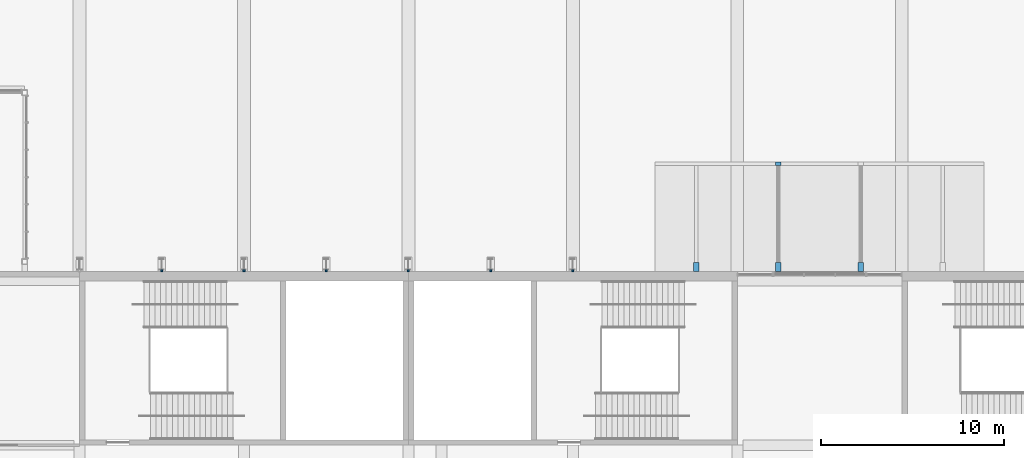
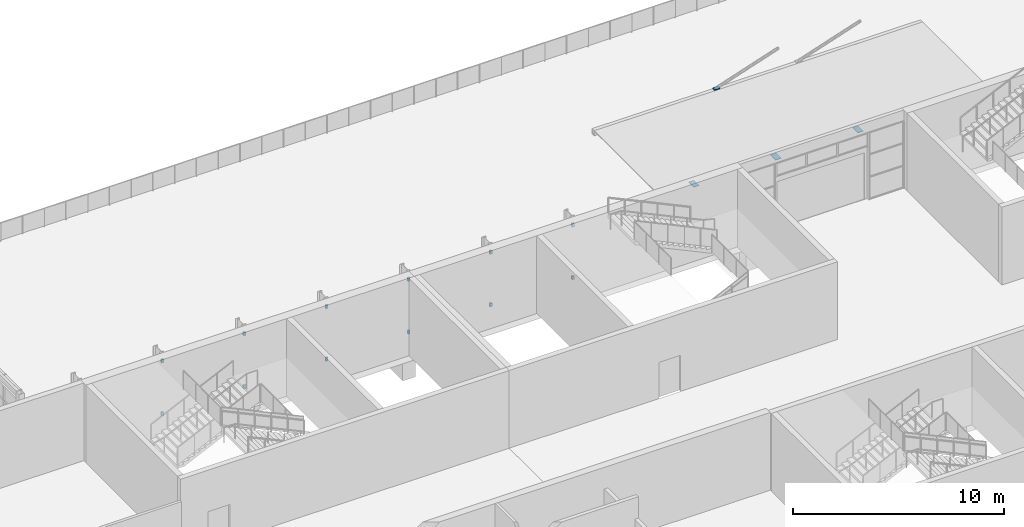
# One storey, part 134 of 168: 16 discrete accessories.
"""IFC4 building model written with IfcOpenShell, lengths in metres."""

from ifc_helpers import new_model, si_unit, direction, frame, origin, origin_2d, place, context, subcontext, project, spatial, rectangle, extrude, material, type_object, element, save


model = new_model("IFC4")

# Units and contexts
model_context = context("Model", 3, precision=1e-05, world=origin(), true_north=direction((0.0, 1.0)))
body_context = subcontext(model_context, "Body", "Model", "MODEL_VIEW")
ifc_project = project(units=[si_unit("LENGTHUNIT", "METRE"), si_unit("AREAUNIT", "SQUARE_METRE"), si_unit("VOLUMEUNIT", "CUBIC_METRE"), si_unit("PLANEANGLEUNIT", "RADIAN"), si_unit("MASSUNIT", "GRAM", prefix="KILO")], contexts=[model_context])

# Site, building, storey
site_placement = place(None, origin())
site = spatial("IfcSite", under=ifc_project, at=site_placement, CompositionType="ELEMENT")
building_placement = place(site_placement, origin())
building = spatial("IfcBuilding", under=site, at=building_placement, Name="Silverbay Arena", CompositionType="ELEMENT")
storey_placement = place(building_placement, frame((0.0, 0.0, 7.0)))
storey = spatial("IfcBuildingStorey", under=building, at=storey_placement, Name="L01", CompositionType="ELEMENT", Elevation=7.0)

# Discrete accessories
ifc_material = material(Name="Steel S355", Category="steel")
discrete_accessory_type = type_object("IfcDiscreteAccessoryType", Name="Steel bracket plate", PredefinedType="BRACKET", material=ifc_material)
for number, where, z_axis, x_axis, name in (
    (1, (177.75, 144.75, 3.8798828125), (0.0, 0.0, 1.0), (1.0, 0.0, 0.0), "Marquee root cleat plate"),
    (2, (182.25, 144.75, 3.8798828125), (0.0, 0.0, 1.0), (1.0, 0.0, 0.0), "Marquee root cleat plate"),
    (3, (186.75, 144.75, 3.8798828125), (0.0, 0.0, 1.0), (1.0, 0.0, 0.0), "Marquee root cleat plate"),
):
    element("IfcDiscreteAccessory", number, at=place(storey_placement, frame(where, z_axis=z_axis, x_axis=x_axis)), inside=storey, type_object=discrete_accessory_type, Name=name, PredefinedType="BRACKET", context=body_context, shape_type="SweptSolid", body=[
        extrude(rectangle(XDim=0.300048828125, YDim=0.5, at=origin_2d()), origin(), (0.0, 0.0, 1.0), 0.02001953125),
    ])
discrete_accessory_placement = place(storey_placement, frame((182.25, 150.39990234375, 4.3935546875), z_axis=(0.0, 0.0, 1.0), x_axis=(1.0, 0.0, 0.0)))
element("IfcDiscreteAccessory", 4, at=discrete_accessory_placement, inside=storey, type_object=discrete_accessory_type, Name="Marquee tie lug plate", PredefinedType="BRACKET", context=body_context, shape_type="SweptSolid", body=[
    extrude(rectangle(XDim=0.300048828125, YDim=0.199951171875, at=origin_2d()), origin(), (0.0, 0.0, 1.0), 0.050048828125),
])
for number, where, z_axis, x_axis, name in (
    (5, (148.5, 144.550048828125, 0.85009765625), (0.0, 0.0, 1.0), (1.0, 0.0, 0.0), "Fin bracket"),
    (6, (148.5, 144.550048828125, 3.89990234375), (0.0, 0.0, 1.0), (1.0, 0.0, 0.0), "Fin bracket"),
    (7, (153.0, 144.550048828125, 0.85009765625), (0.0, 0.0, 1.0), (1.0, 0.0, 0.0), "Fin bracket"),
    (8, (153.0, 144.550048828125, 3.89990234375), (0.0, 0.0, 1.0), (1.0, 0.0, 0.0), "Fin bracket"),
    (9, (157.5, 144.550048828125, 0.85009765625), (0.0, 0.0, 1.0), (1.0, 0.0, 0.0), "Fin bracket"),
    (10, (157.5, 144.550048828125, 3.89990234375), (0.0, 0.0, 1.0), (1.0, 0.0, 0.0), "Fin bracket"),
    (11, (162.0, 144.550048828125, 0.85009765625), (0.0, 0.0, 1.0), (1.0, 0.0, 0.0), "Fin bracket"),
    (12, (162.0, 144.550048828125, 3.89990234375), (0.0, 0.0, 1.0), (1.0, 0.0, 0.0), "Fin bracket"),
    (13, (166.5, 144.550048828125, 0.85009765625), (0.0, 0.0, 1.0), (1.0, 0.0, 0.0), "Fin bracket"),
    (14, (166.5, 144.550048828125, 3.89990234375), (0.0, 0.0, 1.0), (1.0, 0.0, 0.0), "Fin bracket"),
    (15, (171.0, 144.550048828125, 0.85009765625), (0.0, 0.0, 1.0), (1.0, 0.0, 0.0), "Fin bracket"),
    (16, (171.0, 144.550048828125, 3.89990234375), (0.0, 0.0, 1.0), (1.0, 0.0, 0.0), "Fin bracket"),
):
    element("IfcDiscreteAccessory", number, at=place(storey_placement, frame(where, z_axis=z_axis, x_axis=x_axis)), inside=storey, type_object=discrete_accessory_type, Name=name, PredefinedType="BRACKET", context=body_context, shape_type="SweptSolid", body=[
        extrude(rectangle(XDim=0.1201171875, YDim=0.10009765625, at=origin_2d()), origin(), (0.0, 0.0, 1.0), 0.199951171875),
    ])

save(model, "model.ifc")
